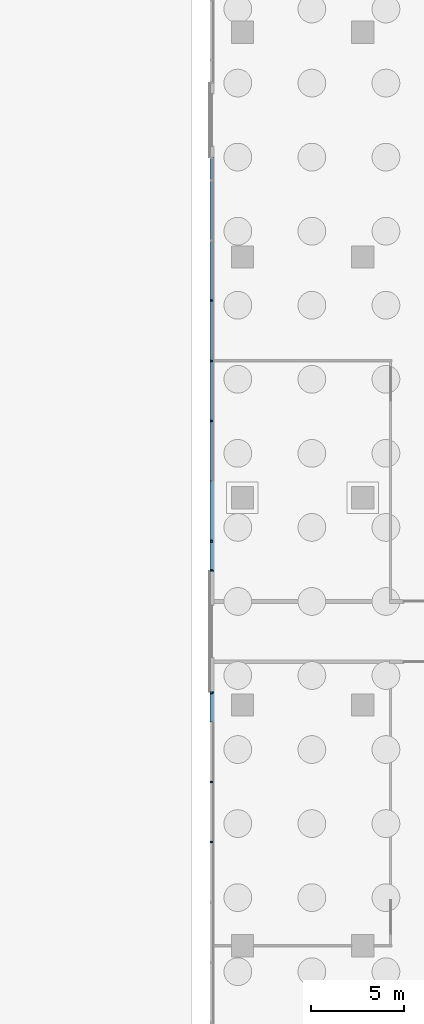
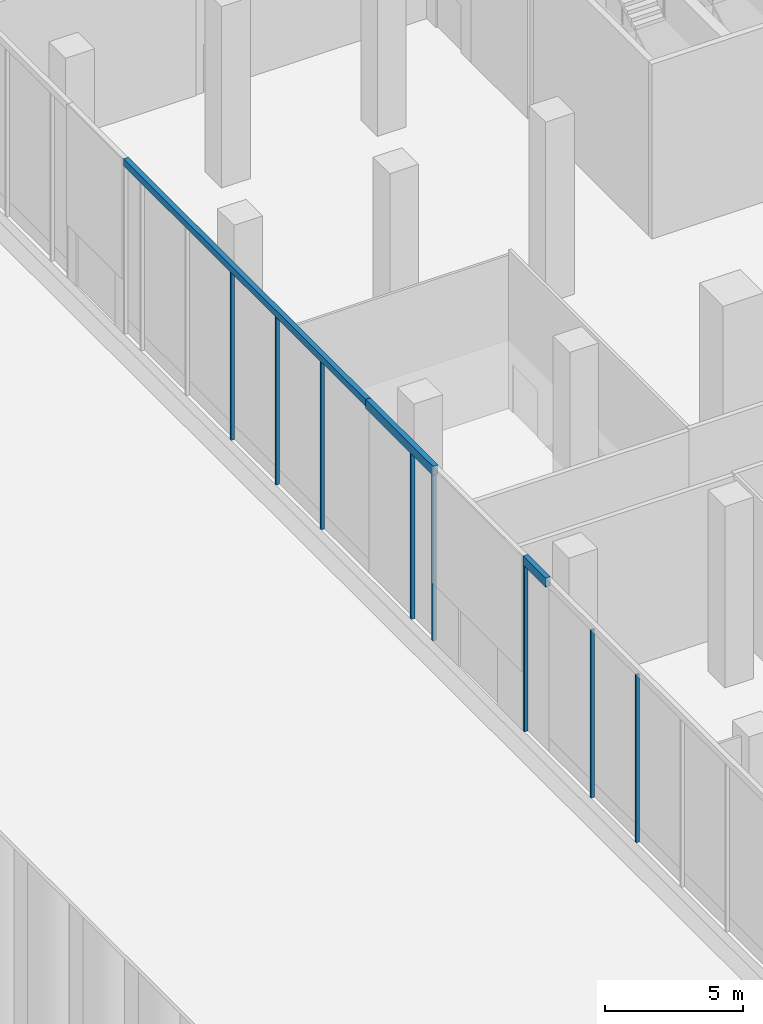
# One storey, part 6 of 27: 11 members, 4 elements without a shape of their own.
"""IFC4 building model written with IfcOpenShell, lengths in metres."""

from ifc_helpers import new_model, si_unit, direction, frame, origin, origin_2d, place, context, subcontext, project, spatial, polyline, rectangle, outline, extrude, source, transform, mapped, material, layer, layer_set, material_profile, profile_set, type_object, element, aggregate, save


model = new_model("IFC4")

# Units and contexts
model_context = context("Model", 3, precision=1e-05, world=origin(), true_north=direction((0.0, 1.0)))
body_context = subcontext(model_context, "Body", "Model", "MODEL_VIEW")
ifc_project = project(units=[si_unit("LENGTHUNIT", "METRE"), si_unit("AREAUNIT", "SQUARE_METRE"), si_unit("VOLUMEUNIT", "CUBIC_METRE"), si_unit("PLANEANGLEUNIT", "RADIAN"), si_unit("MASSUNIT", "GRAM", prefix="KILO")], contexts=[model_context])

# Site, building, storey
site_placement = place(None, origin())
site = spatial("IfcSite", under=ifc_project, at=site_placement, CompositionType="ELEMENT")
building_placement = place(site_placement, origin())
building = spatial("IfcBuilding", under=site, at=building_placement, Name="Trellis Farm Tower", CompositionType="ELEMENT")
storey_placement = place(building_placement, origin())
storey = spatial("IfcBuildingStorey", under=building, at=storey_placement, Name="L00", CompositionType="ELEMENT", Elevation=0.0)

# Curtain wall, member
ifc_material_1 = material(Name="Aluminium and glass curtain wall", Category="aluminium")
ifc_layer_1 = layer(ifc_material_1, 0.201904296875)
ifc_layer_set_1 = layer_set([ifc_layer_1], Name="SHOPFRONT CURTAIN WALL CW2")
curtain_wall_type_1 = type_object("IfcCurtainWallType", Name="SHOPFRONT CURTAIN WALL CW2", PredefinedType="NOTDEFINED", material=ifc_layer_set_1)
placement_1 = place(storey_placement, origin())
curtain_wall_1 = element("IfcCurtainWall", 1, at=placement_1, inside=storey, type_object=curtain_wall_type_1, Name="CW2 012", PredefinedType="NOTDEFINED")
ifc_material_2 = material(Name="Aluminium extrusion 6063-T6", Category="aluminium")
ifc_layer_2 = layer(ifc_material_2, 0.205078125)
ifc_layer_set_2 = layer_set([ifc_layer_2], Name="Aluminium extrusion 6063-T6")
member_type_1 = type_object("IfcMemberType", Name="CW2 TRANSOM 205x300", PredefinedType="USERDEFINED", material=ifc_layer_set_2)
member_1_placement = place(storey_placement, frame((0.0, 0.0, 7.39990234375)))
member_1 = element("IfcMember", 2, at=member_1_placement, type_object=member_type_1, Name="TR2 012", ObjectType="TRANSOM", PredefinedType="USERDEFINED", context=body_context, shape_type="SweptSolid", body=[
    extrude(outline(polyline([(-45.5, 24.0), (-45.5, 6.5), (-45.294921875, 6.5), (-45.294921875, 24.0), (-45.5, 24.0)])), origin(), (0.0, 0.0, 1.0), 0.300048828125),
])

ifc_layer_3 = layer(ifc_material_1, 0.2099609375)
ifc_layer_set_3 = layer_set([ifc_layer_3], Name="LOBBY CURTAIN WALL CW4")
curtain_wall_type_2 = type_object("IfcCurtainWallType", Name="LOBBY CURTAIN WALL CW4", PredefinedType="NOTDEFINED", material=ifc_layer_set_3)
curtain_wall_2 = element("IfcCurtainWall", 3, at=placement_1, inside=storey, type_object=curtain_wall_type_2, Name="CW4 005", PredefinedType="NOTDEFINED")
ifc_layer_4 = layer(ifc_material_2, 0.2099609375)
ifc_layer_set_4 = layer_set([ifc_layer_4], Name="Aluminium extrusion 6063-T6")
member_type_2 = type_object("IfcMemberType", Name="CW4 TRANSOM 210x400", PredefinedType="USERDEFINED", material=ifc_layer_set_4)
placement_2 = place(storey_placement, frame((0.0, 0.0, 7.300048828125)))
member_2 = element("IfcMember", 4, at=placement_2, type_object=member_type_2, Name="TR4 005", ObjectType="TRANSOM", PredefinedType="USERDEFINED", context=body_context, shape_type="SweptSolid", body=[
    extrude(outline(polyline([(-45.5, 6.5), (-45.5, 1.625), (-45.2900390625, 1.625), (-45.2900390625, 6.5), (-45.5, 6.5)])), origin(), (0.0, 0.0, 1.0), 0.39990234375),
])

curtain_wall_3 = element("IfcCurtainWall", 5, at=placement_1, inside=storey, type_object=curtain_wall_type_2, Name="CW4 006", PredefinedType="NOTDEFINED")
member_3 = element("IfcMember", 6, at=placement_2, type_object=member_type_2, Name="TR4 006", ObjectType="TRANSOM", PredefinedType="USERDEFINED", context=body_context, shape_type="SweptSolid", body=[
    extrude(outline(polyline([(-45.5, -4.875), (-45.5, -6.5), (-45.2900390625, -6.5), (-45.2900390625, -4.875), (-45.5, -4.875)])), origin(), (0.0, 0.0, 1.0), 0.39990234375),
])

# Member
ifc_material_profile_1 = material_profile(ifc_material_2, rectangle(XDim=0.080078125, YDim=0.14990234375, at=origin_2d()), Name="MULLION 80x150")
ifc_profile_set_1 = profile_set([ifc_material_profile_1], Name="Aluminium extrusion 6063-T6")
member_type_3 = type_object("IfcMemberType", Name="CW2 MULLION 80x150", PredefinedType="MULLION", material=ifc_profile_set_1)
shared_shape_1 = source(origin(), body_context, "Body", "SweptSolid", [
    extrude(rectangle(XDim=0.080078125, YDim=0.14990234375, at=origin_2d()), origin(), (0.0, 0.0, 1.0), 7.39990234375),
])
member_4_placement = place(storey_placement, frame((-45.425048828125, 16.25, 0.0), z_axis=(0.0, 0.0, 1.0), x_axis=(0.0, -1.0, 0.0)))
member_4 = element("IfcMember", 7, at=member_4_placement, type_object=member_type_3, Name="MU2 012-04", PredefinedType="MULLION", context=body_context, shape_type="MappedRepresentation", body=[
    mapped(shared_shape_1, transform((0.0, 0.0, 0.0))),
])

member_5_placement = place(storey_placement, frame((-45.425048828125, 13.0, 0.0), z_axis=(0.0, 0.0, 1.0), x_axis=(0.0, -1.0, 0.0)))
member_5 = element("IfcMember", 8, at=member_5_placement, type_object=member_type_3, Name="MU2 012-05", PredefinedType="MULLION", context=body_context, shape_type="MappedRepresentation", body=[
    mapped(shared_shape_1, transform((0.0, 0.0, 0.0))),
])

member_6_placement = place(storey_placement, frame((-45.425048828125, 9.75, 0.0), z_axis=(0.0, 0.0, 1.0), x_axis=(0.0, -1.0, 0.0)))
member_6 = element("IfcMember", 9, at=member_6_placement, type_object=member_type_3, Name="MU2 012-06", PredefinedType="MULLION", context=body_context, shape_type="MappedRepresentation", body=[
    mapped(shared_shape_1, transform((0.0, 0.0, 0.0))),
])

aggregate(curtain_wall_1, [member_4, member_5, member_6, member_1])

# Curtain wall, members
curtain_wall_4 = element("IfcCurtainWall", 10, at=placement_1, inside=storey, type_object=curtain_wall_type_1, Name="CW2 013", PredefinedType="NOTDEFINED")
member_7_placement = place(storey_placement, frame((-45.425048828125, -9.75, 0.0), z_axis=(0.0, 0.0, 1.0), x_axis=(0.0, -1.0, 0.0)))
member_7 = element("IfcMember", 11, at=member_7_placement, type_object=member_type_3, Name="MU2 013-01", PredefinedType="MULLION", context=body_context, shape_type="MappedRepresentation", body=[
    mapped(shared_shape_1, transform((0.0, 0.0, 0.0))),
])
member_8_placement = place(storey_placement, frame((-45.425048828125, -13.0, 0.0), z_axis=(0.0, 0.0, 1.0), x_axis=(0.0, -1.0, 0.0)))
member_8 = element("IfcMember", 12, at=member_8_placement, type_object=member_type_3, Name="MU2 013-02", PredefinedType="MULLION", context=body_context, shape_type="MappedRepresentation", body=[
    mapped(shared_shape_1, transform((0.0, 0.0, 0.0))),
])
aggregate(curtain_wall_4, [member_7, member_8])

# Member
ifc_material_profile_2 = material_profile(ifc_material_2, rectangle(XDim=0.10009765625, YDim=0.14990234375, at=origin_2d()), Name="MULLION 100x150")
ifc_profile_set_2 = profile_set([ifc_material_profile_2], Name="Aluminium extrusion 6063-T6")
member_type_4 = type_object("IfcMemberType", Name="CW4 MULLION 100x150", PredefinedType="MULLION", material=ifc_profile_set_2)
shared_shape_2 = source(origin(), body_context, "Body", "SweptSolid", [
    extrude(rectangle(XDim=0.10009765625, YDim=0.14990234375, at=origin_2d()), origin(), (0.0, 0.0, 1.0), 7.300048828125),
])
member_9_placement = place(storey_placement, frame((-45.425048828125, 3.25, 0.0), z_axis=(0.0, 0.0, 1.0), x_axis=(0.0, -1.0, 0.0)))
member_9 = element("IfcMember", 13, at=member_9_placement, type_object=member_type_4, Name="MU4 005-01", PredefinedType="MULLION", context=body_context, shape_type="MappedRepresentation", body=[
    mapped(shared_shape_2, transform((0.0, 0.0, 0.0))),
])

member_10_placement = place(storey_placement, frame((-45.425048828125, 1.675048828125, 0.0), z_axis=(0.0, 0.0, 1.0), x_axis=(0.0, -1.0, 0.0)))
member_10 = element("IfcMember", 14, at=member_10_placement, type_object=member_type_4, Name="MU4 005-02", PredefinedType="MULLION", context=body_context, shape_type="MappedRepresentation", body=[
    mapped(shared_shape_2, transform((0.0, 0.0, 0.0))),
])

aggregate(curtain_wall_2, [member_9, member_10, member_2])

member_11_placement = place(storey_placement, frame((-45.425048828125, -4.925048828125, 0.0), z_axis=(0.0, 0.0, 1.0), x_axis=(0.0, -1.0, 0.0)))
member_11 = element("IfcMember", 15, at=member_11_placement, type_object=member_type_4, Name="MU4 006-01", PredefinedType="MULLION", context=body_context, shape_type="MappedRepresentation", body=[
    mapped(shared_shape_2, transform((0.0, 0.0, 0.0))),
])

aggregate(curtain_wall_3, [member_11, member_3])

save(model, "model.ifc")
